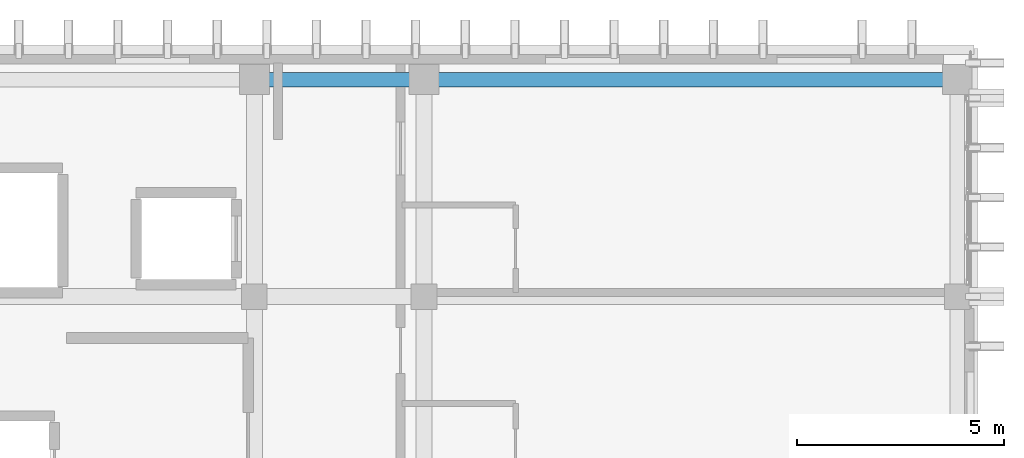
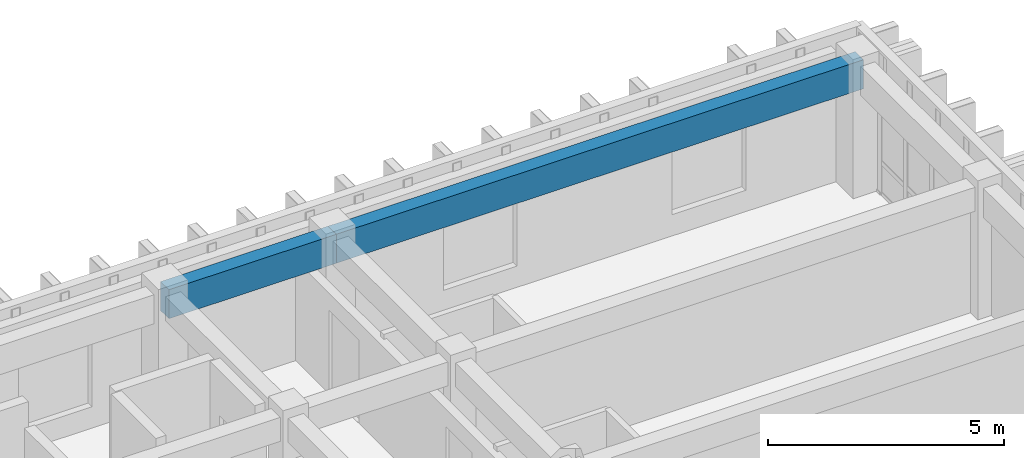
# One storey, part 43 of 59: 2 beams.
"""IFC4 building model written with IfcOpenShell, lengths in metres."""

from ifc_helpers import new_model, si_unit, direction, frame, origin, origin_2d, place, context, subcontext, project, spatial, rectangle, extrude, material, material_profile, profile_set, type_object, element, save


model = new_model("IFC4")

# Units and contexts
model_context = context("Model", 3, precision=1e-05, world=origin(), true_north=direction((0.0, 1.0)))
body_context = subcontext(model_context, "Body", "Model", "MODEL_VIEW")
ifc_project = project(units=[si_unit("LENGTHUNIT", "METRE"), si_unit("AREAUNIT", "SQUARE_METRE"), si_unit("VOLUMEUNIT", "CUBIC_METRE"), si_unit("PLANEANGLEUNIT", "RADIAN"), si_unit("MASSUNIT", "GRAM", prefix="KILO")], contexts=[model_context])

# Site, building, storey
site_placement = place(None, origin())
site = spatial("IfcSite", under=ifc_project, at=site_placement, CompositionType="ELEMENT")
building_placement = place(site_placement, origin())
building = spatial("IfcBuilding", under=site, at=building_placement, Name="Nakhvara Creek Congress Hotel", CompositionType="ELEMENT")
storey_placement = place(building_placement, frame((0.0, 0.0, 31.800048828125)))
storey = spatial("IfcBuildingStorey", under=building, at=storey_placement, Name="L07", CompositionType="ELEMENT", Elevation=31.800048828125)

# Beams
ifc_material = material(Name="Concrete C40/50", Category="concrete")
ifc_material_profile = material_profile(ifc_material, rectangle(XDim=0.35009765625, YDim=0.75, at=origin_2d()), Name="RC-SPANDREL 350x750", Category="LoadBearing")
ifc_profile_set = profile_set([ifc_material_profile], Name="Concrete C40/50")
beam_type = type_object("IfcBeamType", Name="BM-SPN-350X750", PredefinedType="SPANDREL", material=ifc_profile_set)
beam_1_placement = place(storey_placement, frame((162.35009765625, 125.25, 2.98486328125), z_axis=(1.0, 0.0, 0.0), x_axis=(0.0, 1.0, 0.0)))
element("IfcBeam", 1, at=beam_1_placement, inside=storey, type_object=beam_type, Name="Beam SP1-L07-2364", PredefinedType="SPANDREL", context=body_context, shape_type="SweptSolid", body=[
    extrude(rectangle(XDim=0.35009765625, YDim=0.75, at=origin_2d()), origin(), (0.0, 0.0, 1.0), 4.099853515625),
])
beam_2_placement = place(storey_placement, frame((166.449951171875, 125.25, 2.98486328125), z_axis=(1.0, 0.0, 0.0), x_axis=(0.0, 1.0, 0.0)))
element("IfcBeam", 2, at=beam_2_placement, inside=storey, type_object=beam_type, Name="Beam SP1-L07-2389", PredefinedType="SPANDREL", context=body_context, shape_type="SweptSolid", body=[
    extrude(rectangle(XDim=0.35009765625, YDim=0.75, at=origin_2d()), origin(), (0.0, 0.0, 1.0), 12.900146484375),
])

save(model, "model.ifc")
